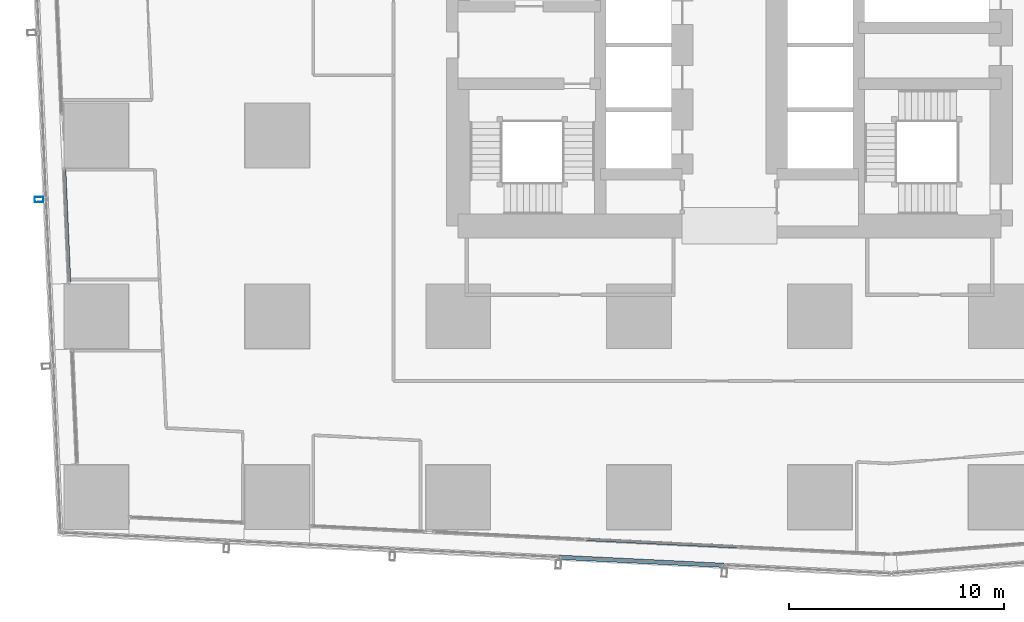
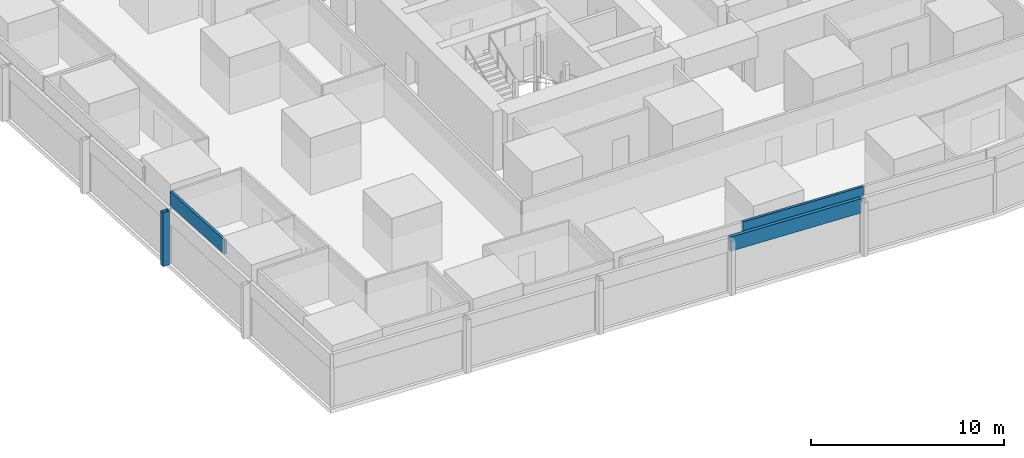
# One storey, part 6 of 44: 4 members, 4 elements without a shape of their own.
"""IFC4 building model written with IfcOpenShell, lengths in metres."""

from ifc_helpers import new_model, si_unit, direction, frame, origin, origin_2d, place, context, subcontext, project, spatial, hollow_rectangle, extrude, material, material_profile, profile_set, type_object, element, aggregate, save


model = new_model("IFC4")

# Units and contexts
model_context = context("Model", 3, precision=1e-05, world=origin(), true_north=direction((0.0, 1.0)))
body_context = subcontext(model_context, "Body", "Model", "MODEL_VIEW")
ifc_project = project(units=[si_unit("LENGTHUNIT", "METRE"), si_unit("AREAUNIT", "SQUARE_METRE"), si_unit("VOLUMEUNIT", "CUBIC_METRE"), si_unit("PLANEANGLEUNIT", "RADIAN"), si_unit("MASSUNIT", "GRAM", prefix="KILO")], contexts=[model_context])

# Site, building, storey
site_placement = place(None, origin())
site = spatial("IfcSite", under=ifc_project, at=site_placement, CompositionType="ELEMENT")
building_placement = place(site_placement, origin())
building = spatial("IfcBuilding", under=site, at=building_placement, Name="Rekha Terrace Tower", CompositionType="ELEMENT")
storey_placement = place(building_placement, frame((0.0, 0.0, 81.64990234375)))
storey = spatial("IfcBuildingStorey", under=building, at=storey_placement, Name="L20", CompositionType="ELEMENT", Elevation=81.64990234375)

# Curtain wall, member
ifc_material_1 = material(Name="Aluminium framing", Category="aluminium")
curtain_wall_type_1 = type_object("IfcCurtainWallType", Name="CW2 double skin outer glazing", PredefinedType="USERDEFINED", material=ifc_material_1)
curtain_wall_1_placement = place(storey_placement, origin())
curtain_wall_1 = element("IfcCurtainWall", 1, at=curtain_wall_1_placement, inside=storey, type_object=curtain_wall_type_1, Name="CW2 double skin outer glazing", ObjectType="DOUBLE SKIN OUTER GLAZING", PredefinedType="USERDEFINED")
ifc_material_2 = material(Name="Steel S355 with fluorocarbon finish", Category="steel")
ifc_material_profile_1 = material_profile(ifc_material_2, hollow_rectangle(XDim=0.25, YDim=0.39990234375, WallThickness=0.012451171875, at=origin_2d()), Name="RHS400x250x12.5")
ifc_profile_set_1 = profile_set([ifc_material_profile_1], Name="Steel S355 with fluorocarbon finish")
member_type_1 = type_object("IfcMemberType", Name="BL1 facade blade RHS 400 x 250", PredefinedType="USERDEFINED", material=ifc_profile_set_1)
member_1_placement = place(storey_placement, frame((5.74169921875, 22.226806640625, 0.0), z_axis=(0.0, 0.0, 1.0), x_axis=(0.04368215933, -0.999045478923, 0.0)))
member_1 = element("IfcMember", 2, at=member_1_placement, type_object=member_type_1, Name="Facade blade", ObjectType="FACADE BLADE", PredefinedType="USERDEFINED", context=body_context, shape_type="SweptSolid", body=[
    extrude(hollow_rectangle(XDim=0.25, YDim=0.39990234375, WallThickness=0.012451171875, at=origin_2d()), origin(), (0.0, 0.0, 1.0), 3.400146484375),
])
aggregate(curtain_wall_1, [member_1])

curtain_wall_type_2 = type_object("IfcCurtainWallType", Name="CW1 double skin inner glazing", PredefinedType="USERDEFINED", material=ifc_material_1)
curtain_wall_2_placement = place(storey_placement, origin())
curtain_wall_2 = element("IfcCurtainWall", 3, at=curtain_wall_2_placement, inside=storey, type_object=curtain_wall_type_2, Name="CW1 double skin inner glazing", ObjectType="DOUBLE SKIN INNER GLAZING", PredefinedType="USERDEFINED")
ifc_material_3 = material(Name="Insulated aluminium spandrel box", Category="aluminium")
ifc_material_profile_2 = material_profile(ifc_material_3, hollow_rectangle(XDim=0.14990234375, YDim=0.89990234375, WallThickness=0.0029296875, at=origin_2d()), Name="AL SPANDREL BOX 150x900")
ifc_profile_set_2 = profile_set([ifc_material_profile_2], Name="Insulated aluminium spandrel box")
member_type_2 = type_object("IfcMemberType", Name="CW1 spandrel transom 150 x 900", PredefinedType="USERDEFINED", material=ifc_profile_set_2)
member_2_placement = place(storey_placement, frame((31.158447265625, 6.455078125, 2.9501953125), z_axis=(0.998797394542, -0.049028202652, 0.0), x_axis=(0.049028202652, 0.998797394542, 0.0)))
member_2 = element("IfcMember", 4, at=member_2_placement, type_object=member_type_2, Name="CW1 spandrel transom 2", ObjectType="TRANSOM", PredefinedType="USERDEFINED", context=body_context, shape_type="SweptSolid", body=[
    extrude(hollow_rectangle(XDim=0.14990234375, YDim=0.89990234375, WallThickness=0.0029296875, at=origin_2d()), origin(), (0.0, 0.0, 1.0), 7.016357421875),
])
aggregate(curtain_wall_2, [member_2])

curtain_wall_3_placement = place(storey_placement, origin())
curtain_wall_3 = element("IfcCurtainWall", 5, at=curtain_wall_3_placement, inside=storey, type_object=curtain_wall_type_2, Name="CW1 double skin inner glazing", ObjectType="DOUBLE SKIN INNER GLAZING", PredefinedType="USERDEFINED")
member_3_placement = place(storey_placement, frame((6.917236328125, 23.61083984375, 2.9501953125), z_axis=(0.043674389397, -0.999045818624, 0.0), x_axis=(0.999045818624, 0.043674389397, 0.0)))
member_3 = element("IfcMember", 6, at=member_3_placement, type_object=member_type_2, Name="CW1 spandrel transom 1", ObjectType="TRANSOM", PredefinedType="USERDEFINED", context=body_context, shape_type="SweptSolid", body=[
    extrude(hollow_rectangle(XDim=0.14990234375, YDim=0.89990234375, WallThickness=0.0029296875, at=origin_2d()), origin(), (0.0, 0.0, 1.0), 5.2265625),
])
aggregate(curtain_wall_3, [member_3])

curtain_wall_4_placement = place(storey_placement, origin())
curtain_wall_4 = element("IfcCurtainWall", 7, at=curtain_wall_4_placement, inside=storey, type_object=curtain_wall_type_1, Name="CW2 double skin outer glazing", ObjectType="DOUBLE SKIN OUTER GLAZING", PredefinedType="USERDEFINED")
ifc_material_profile_3 = material_profile(ifc_material_3, hollow_rectangle(XDim=0.199951171875, YDim=0.89990234375, WallThickness=0.0029296875, at=origin_2d()), Name="AL SPANDREL BOX 200x900")
ifc_profile_set_3 = profile_set([ifc_material_profile_3], Name="Insulated aluminium spandrel box")
member_type_3 = type_object("IfcMemberType", Name="CW2 spandrel transom 200 x 900", PredefinedType="USERDEFINED", material=ifc_profile_set_3)
member_4_placement = place(storey_placement, frame((29.91259765625, 5.615234375, 2.9501953125), z_axis=(0.998796434643, -0.049047753721, 0.0), x_axis=(0.049047753721, 0.998796434643, 0.0)))
member_4 = element("IfcMember", 8, at=member_4_placement, type_object=member_type_3, Name="CW2 spandrel transom 4", ObjectType="TRANSOM", PredefinedType="USERDEFINED", context=body_context, shape_type="SweptSolid", body=[
    extrude(hollow_rectangle(XDim=0.199951171875, YDim=0.89990234375, WallThickness=0.0029296875, at=origin_2d()), origin(), (0.0, 0.0, 1.0), 7.6357421875),
])
aggregate(curtain_wall_4, [member_4])

save(model, "model.ifc")
